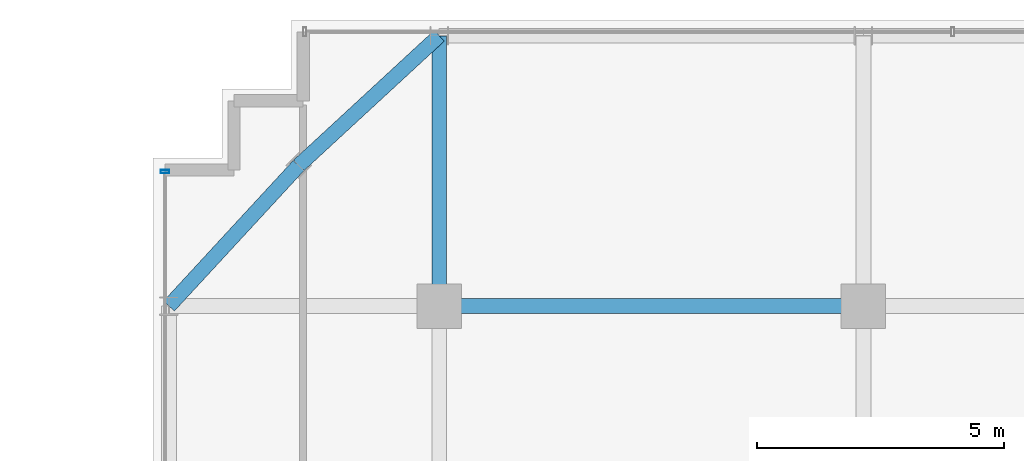
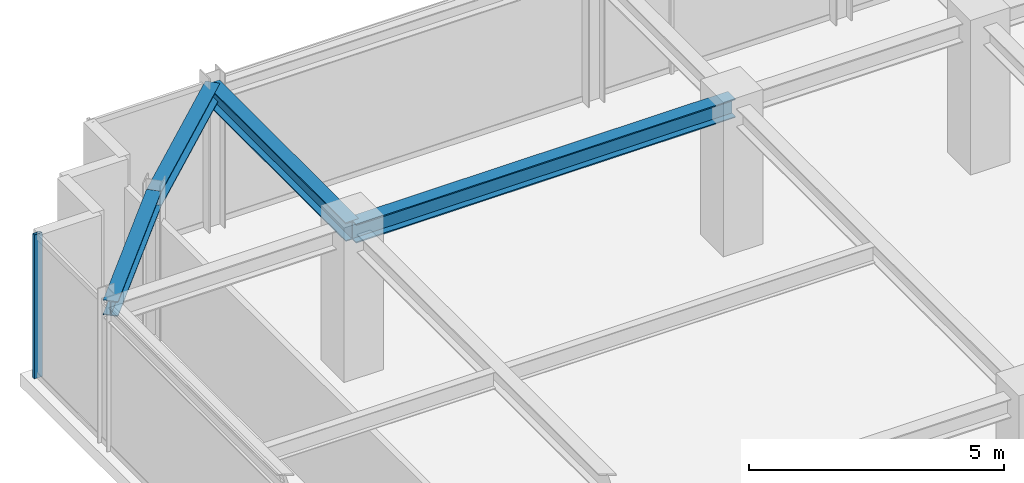
# One storey, part 18 of 31: 4 beams, 1 member, 1 element without a shape of its own.
"""IFC4 building model written with IfcOpenShell, lengths in metres."""

import ifcopenshell
import ifcopenshell.guid

model = None  # the IFC model being written
_history = None  # IfcOwnerHistory: only IFC2X3 demands one
_inside = {}  # id of a spatial element -> (the spatial element, [elements in it])
_under = {}  # id of a project, library or spatial element -> (it, [spatial elements below it])
_declared = {}  # id of a project -> (the project, [libraries it declares])
_typed = {}  # id of a type object -> (the type object, [elements of that type])
_made_of = {}  # id of a material, layer set ... -> (it, [elements and type objects made of it])


def new_model(schema):
    """Start an empty IFC model of exactly this schema.

    Asked for "IFC4X3", IfcOpenShell would pick the latest addendum, in which some entities
    have other attributes; the version numbers below select the first issue.
    IFC2X3 requires an IfcOwnerHistory on every rooted entity: one is made here for all.
    """
    global model, _history
    if schema == "IFC4X3":
        model = ifcopenshell.file(schema_version=(4, 3, 0, 0))
    else:
        model = ifcopenshell.file(schema=schema)
    _inside.clear()
    _under.clear()
    _declared.clear()
    _typed.clear()
    _made_of.clear()
    _history = None
    if model.schema == "IFC2X3":
        org = make("IfcOrganization", Name="unknown")
        user = make(
            "IfcPersonAndOrganization",
            ThePerson=make("IfcPerson", FamilyName="unknown"),
            TheOrganization=org,
        )
        app = make(
            "IfcApplication",
            ApplicationDeveloper=org,
            Version="unknown",
            ApplicationFullName="unknown",
            ApplicationIdentifier="unknown",
        )
        _history = make(
            "IfcOwnerHistory",
            OwningUser=user,
            OwningApplication=app,
            ChangeAction="ADDED",
            CreationDate=0,
        )
    return model


def make(cls, **values):
    """One entity of the class cls with the attributes given. An attribute that is None is left unset."""
    return model.create_entity(
        cls, **{name: value for name, value in values.items() if value is not None}
    )


def rooted(cls, **values):
    """An entity with a GlobalId (a new one), such as an element, a storey or a relation."""
    return make(cls, GlobalId=ifcopenshell.guid.new(), OwnerHistory=_history, **values)


def si_unit(unit_type, name, prefix=None):
    """IfcSIUnit, for example si_unit("LENGTHUNIT", "METRE", prefix="MILLI")."""
    return make("IfcSIUnit", UnitType=unit_type, Prefix=prefix, Name=name)


def assignment(units):
    """IfcUnitAssignment: the units of a project."""
    return None if units is None else make("IfcUnitAssignment", Units=units)


def point(xyz):
    """IfcCartesianPoint."""
    return None if xyz is None else make("IfcCartesianPoint", Coordinates=xyz)


def direction(xyz):
    """IfcDirection."""
    return None if xyz is None else make("IfcDirection", DirectionRatios=xyz)


def frame(location, z_axis=None, x_axis=None):
    """IfcAxis2Placement3D, a coordinate frame: its origin and axes. An axis left out is left unset."""
    return make(
        "IfcAxis2Placement3D",
        Location=point(location),
        Axis=direction(z_axis),
        RefDirection=direction(x_axis),
    )


def frame_2d(location, x_axis=None):
    """IfcAxis2Placement2D, a coordinate frame in the plane: its origin and x axis."""
    return make(
        "IfcAxis2Placement2D", Location=point(location), RefDirection=direction(x_axis)
    )


def origin():
    """The frame at (0, 0, 0) with its axes left unset."""
    return frame((0.0, 0.0, 0.0))


def origin_2d():
    """The frame at (0, 0) in the plane with its x axis left unset."""
    return frame_2d((0.0, 0.0))


def place(relative_to, where):
    """IfcLocalPlacement: puts the frame where relative to a parent placement (None: the world)."""
    return make(
        "IfcLocalPlacement", PlacementRelTo=relative_to, RelativePlacement=where
    )


def context(
    kind, dimensions, precision=None, world=None, true_north=None, identifier=None
):
    """IfcGeometricRepresentationContext, for example the 3D "Model" context."""
    return make(
        "IfcGeometricRepresentationContext",
        ContextIdentifier=identifier,
        ContextType=kind,
        CoordinateSpaceDimension=dimensions,
        Precision=precision,
        WorldCoordinateSystem=world,
        TrueNorth=true_north,
    )


def subcontext(parent, identifier, kind, view, scale=None):
    """IfcGeometricRepresentationSubContext, for example "Body" below "Model"."""
    return make(
        "IfcGeometricRepresentationSubContext",
        ContextIdentifier=identifier,
        ContextType=kind,
        ParentContext=parent,
        TargetScale=scale,
        TargetView=view,
    )


def project(units=None, contexts=None):
    """IfcProject with its units and contexts."""
    return rooted(
        "IfcProject",
        Name="project",
        RepresentationContexts=contexts,
        UnitsInContext=assignment(units),
    )


def spatial(cls, under=None, at=None, **own):
    """A site, building, storey or space (cls), placed at a placement, below another one or the project."""
    s = rooted(cls, ObjectPlacement=at, **own)
    if under is not None:
        _under.setdefault(under.id(), (under, []))[1].append(s)
    return s


def profile(cls, at=None, kind="AREA", **sizes):
    """A parametric profile (cls). Its sizes go by their IFC names, for example OverallWidth=200.0."""
    return make(cls, ProfileType=kind, Position=at, **sizes)


def hollow_rectangle(**sizes):
    """IfcRectangleHollowProfileDef."""
    return profile("IfcRectangleHollowProfileDef", **sizes)


def i_section(**sizes):
    """IfcIShapeProfileDef."""
    return profile("IfcIShapeProfileDef", **sizes)


def extrude(swept, where, along, depth):
    """IfcExtrudedAreaSolid: the profile swept, set in the frame where, extruded along a direction by depth."""
    return make(
        "IfcExtrudedAreaSolid",
        SweptArea=swept,
        Position=where,
        ExtrudedDirection=direction(along),
        Depth=depth,
    )


def shape(context_of_items, identifier, shape_type, items):
    """IfcShapeRepresentation: the items that make up one representation, for example the "Body"."""
    return make(
        "IfcShapeRepresentation",
        ContextOfItems=context_of_items,
        RepresentationIdentifier=identifier,
        RepresentationType=shape_type,
        Items=items,
    )


def source(mapping_origin, context_of_items, identifier, shape_type, items):
    """IfcRepresentationMap: a shape defined once, which mapped items show again and again."""
    return make(
        "IfcRepresentationMap",
        MappingOrigin=mapping_origin,
        MappedRepresentation=shape(context_of_items, identifier, shape_type, items),
    )


def transform(
    local_origin,
    x_axis=None,
    y_axis=None,
    z_axis=None,
    scale=None,
    scale2=None,
    scale3=None,
    uniform=True,
):
    """IfcCartesianTransformationOperator3D, or its non-uniform kind. x_axis, y_axis, z_axis: its Axis1, 2, 3."""
    if uniform:
        return make(
            "IfcCartesianTransformationOperator3D",
            Axis1=direction(x_axis),
            Axis2=direction(y_axis),
            LocalOrigin=point(local_origin),
            Scale=scale,
            Axis3=direction(z_axis),
        )
    return make(
        "IfcCartesianTransformationOperator3DnonUniform",
        Axis1=direction(x_axis),
        Axis2=direction(y_axis),
        LocalOrigin=point(local_origin),
        Scale=scale,
        Axis3=direction(z_axis),
        Scale2=scale2,
        Scale3=scale3,
    )


def mapped(mapping_source, mapping_target):
    """IfcMappedItem: shows the shape of a source again, moved by a transform."""
    return make(
        "IfcMappedItem", MappingSource=mapping_source, MappingTarget=mapping_target
    )


def material(Name=None, Category=None):
    """IfcMaterial."""
    return make("IfcMaterial", Name=Name, Category=Category)


def material_profile(
    of_material, cross_section, Name=None, Category=None, Priority=None
):
    """IfcMaterialProfile: a cross section and its material."""
    return make(
        "IfcMaterialProfile",
        Name=Name,
        Material=of_material,
        Profile=cross_section,
        Priority=Priority,
        Category=Category,
    )


def profile_set(profiles, Name=None, composite=None):
    """IfcMaterialProfileSet."""
    return make(
        "IfcMaterialProfileSet",
        Name=Name,
        MaterialProfiles=profiles,
        CompositeProfile=composite,
    )


def made_of(thing, what):
    """Note that an element or type object is made of a material, layer set ...; save() writes the relation."""
    if what is not None:
        _made_of.setdefault(what.id(), (what, []))[1].append(thing)
    return thing


def type_object(cls, material=None, **own):
    """A type object (cls), such as IfcWallType, which elements share."""
    return made_of(rooted(cls, **own), material)


def element(
    cls,
    number,
    at=None,
    inside=None,
    cuts=None,
    type_object=None,
    material=None,
    context=None,
    identifier="Body",
    shape_type=None,
    held_by="IfcProductDefinitionShape",
    body=None,
    shapes=None,
    **own,
):
    """One element of the class cls, such as IfcWall. Its Tag is "e" and its number.

    at: its placement. inside: the storey or other place that contains it. cuts: it is an
    opening in that element (IfcRelVoidsElement). A single representation is given by context,
    identifier, shape_type and body (its items); several are given by shapes. held_by: the class
    of the entity that holds the representations. save() writes the other relations.
    """
    e = rooted(cls, Tag="e%d" % number, ObjectPlacement=at, **own)
    if body is not None:
        shapes = [shape(context, identifier, shape_type, body)]
    if shapes is not None:
        e.Representation = make(held_by, Representations=shapes)
    if inside is not None:
        _inside.setdefault(inside.id(), (inside, []))[1].append(e)
    if cuts is not None:
        rooted(
            "IfcRelVoidsElement", RelatingBuildingElement=cuts, RelatedOpeningElement=e
        )
    if type_object is not None:
        _typed.setdefault(type_object.id(), (type_object, []))[1].append(e)
    return made_of(e, material)


def aggregate(whole, parts):
    """IfcRelAggregates: a whole, such as a stair, and the parts it consists of."""
    return rooted("IfcRelAggregates", RelatingObject=whole, RelatedObjects=parts)


def save(model, path):
    """Write the relations noted so far, then the file.

    IfcRelAggregates (storeys below a building ...), IfcRelContainedInSpatialStructure (elements
    in a storey), IfcRelDefinesByType, IfcRelAssociatesMaterial and IfcRelDeclares: one each for
    every whole, place, type object, material and project.
    """
    for whole, parts in _under.values():
        aggregate(whole, parts)
    for where, things in _inside.values():
        rooted(
            "IfcRelContainedInSpatialStructure",
            RelatedElements=things,
            RelatingStructure=where,
        )
    for kind, things in _typed.values():
        rooted("IfcRelDefinesByType", RelatedObjects=things, RelatingType=kind)
    for what, things in _made_of.values():
        rooted("IfcRelAssociatesMaterial", RelatedObjects=things, RelatingMaterial=what)
    for by, libraries in _declared.values():
        rooted("IfcRelDeclares", RelatingContext=by, RelatedDefinitions=libraries)
    model.write(path)


model = new_model("IFC4")

# Units and contexts
model_context = context("Model", 3, precision=1e-05, world=origin(), true_north=direction((0.0, 1.0)))
body_context = subcontext(model_context, "Body", "Model", "MODEL_VIEW")
ifc_project = project(units=[si_unit("LENGTHUNIT", "METRE"), si_unit("AREAUNIT", "SQUARE_METRE"), si_unit("VOLUMEUNIT", "CUBIC_METRE"), si_unit("PLANEANGLEUNIT", "RADIAN"), si_unit("MASSUNIT", "GRAM", prefix="KILO")], contexts=[model_context])

# Site, building, storey
site_placement = place(None, origin())
site = spatial("IfcSite", under=ifc_project, at=site_placement, CompositionType="ELEMENT")
building_placement = place(site_placement, origin())
building = spatial("IfcBuilding", under=site, at=building_placement, Name="Nahalor Promenade Grand Hotel", CompositionType="ELEMENT")
storey_placement = place(building_placement, frame((0.0, 0.0, 277.550048828125)))
storey = spatial("IfcBuildingStorey", under=building, at=storey_placement, Name="L71", CompositionType="ELEMENT", Elevation=277.550048828125)

# Beams
ifc_material_1 = material(Name="Steel S355JR", Category="steel")
ifc_material_profile_1 = material_profile(ifc_material_1, i_section(OverallWidth=0.3, OverallDepth=0.45, WebThickness=0.014, FlangeThickness=0.026, at=origin_2d()), Name="HEB 450")
ifc_profile_set_1 = profile_set([ifc_material_profile_1], Name="Steel S355JR")
beam_type_1 = type_object("IfcBeamType", Name="Beam-Girder-HEB450", PredefinedType="BEAM", material=ifc_profile_set_1)
shared_shape_1 = source(origin(), body_context, "Body", "SweptSolid", [
    extrude(i_section(OverallWidth=0.3, OverallDepth=0.45, WebThickness=0.014, FlangeThickness=0.026, at=origin_2d()), origin(), (0.0, 0.0, 1.0), 8.60009765625),
])
beam_1_placement = place(storey_placement, frame((-17.0, 17.0, 3.224853515625), z_axis=(1.0, 0.0, 0.0), x_axis=(0.0, 1.0, 0.0)))
element("IfcBeam", 1, at=beam_1_placement, inside=storey, type_object=beam_type_1, Name="BM-L71-GX-3-1", PredefinedType="BEAM", context=body_context, shape_type="MappedRepresentation", body=[
    mapped(shared_shape_1, transform((0.0, 0.0, 0.0), scale=1.0)),
])
shared_shape_2 = source(origin(), body_context, "Body", "SweptSolid", [
    extrude(i_section(OverallWidth=0.3, OverallDepth=0.45, WebThickness=0.014, FlangeThickness=0.026, at=origin_2d()), origin(), (0.0, 0.0, 1.0), 5.47998046875),
])
beam_2_placement = place(storey_placement, frame((-17.0, 17.0, 3.224853515625), z_axis=(0.0, 1.0, 0.0), x_axis=(-1.0, 0.0, 0.0)))
element("IfcBeam", 2, at=beam_2_placement, inside=storey, type_object=beam_type_1, Name="BM-L71-GY-0-4", PredefinedType="BEAM", context=body_context, shape_type="MappedRepresentation", body=[
    mapped(shared_shape_2, transform((0.0, 0.0, 0.0), scale=1.0)),
])
ifc_material_profile_2 = material_profile(ifc_material_1, i_section(OverallWidth=0.3, OverallDepth=0.36, WebThickness=0.0125, FlangeThickness=0.0225, at=origin_2d()), Name="HEB 360")
ifc_profile_set_2 = profile_set([ifc_material_profile_2], Name="Steel S355JR")
beam_type_2 = type_object("IfcBeamType", Name="Beam-Spandrel-HEB360", PredefinedType="SPANDREL", material=ifc_profile_set_2)
shared_shape_3 = source(origin(), body_context, "Body", "SweptSolid", [
    extrude(i_section(OverallWidth=0.3, OverallDepth=0.36, WebThickness=0.0125, FlangeThickness=0.0225, at=origin_2d()), origin(), (0.0, 0.0, 1.0), 3.878173828125),
])
for number, where, z_axis, x_axis, name in (
    (3, (-17.0, 22.47998046875, 3.27001953125), (-0.73492893846, -0.678144125843, 0.0), (0.678144125843, -0.73492893846, 0.0), "BM-L71-SPC-NW-1"),
    (4, (-19.85009765625, 19.85009765625, 3.27001953125), (-0.678144125843, -0.73492893846, 0.0), (0.73492893846, -0.678144125843, 0.0), "BM-L71-SPC-NW-2"),
):
    element("IfcBeam", number, at=place(storey_placement, frame(where, z_axis=z_axis, x_axis=x_axis)), inside=storey, type_object=beam_type_2, Name=name, PredefinedType="SPANDREL", context=body_context, shape_type="MappedRepresentation", body=[
        mapped(shared_shape_3, transform((0.0, 0.0, 0.0), scale=1.0)),
    ])

# Curtain wall, member
ifc_material_2 = material(Name="Anodised Bronze Aluminium EN AW-6063 T6", Category="aluminium")
curtain_wall_type = type_object("IfcCurtainWallType", Name="CW2 Typical Hotel Flush Bronze Unitised Curtain Wall", PredefinedType="USERDEFINED", material=ifc_material_2)
curtain_wall_placement = place(storey_placement, origin())
curtain_wall = element("IfcCurtainWall", 5, at=curtain_wall_placement, inside=storey, type_object=curtain_wall_type, Name="L71 Curtain Wall CW-L71-W-3", ObjectType="UNITISED_CURTAIN_WALL", PredefinedType="USERDEFINED")
ifc_material_profile_3 = material_profile(ifc_material_2, hollow_rectangle(XDim=0.065, YDim=0.18, WallThickness=0.004, at=origin_2d()), Name="CWM 65x180x4")
ifc_profile_set_3 = profile_set([ifc_material_profile_3], Name="Anodised Bronze Aluminium EN AW-6063 T6")
member_type = type_object("IfcMemberType", Name="CWM2 Typical Bronze Mullion 65x180", PredefinedType="MULLION", material=ifc_profile_set_3)
shared_shape_4 = source(origin(), body_context, "Body", "SweptSolid", [
    extrude(hollow_rectangle(XDim=0.065, YDim=0.18, WallThickness=0.004, at=origin_2d()), origin(), (0.0, 0.0, 1.0), 3.449951171875),
])
member_placement = place(storey_placement, frame((-22.56005859375, 19.7275390625, 0.0), z_axis=(0.0, 0.0, 1.0), x_axis=(0.0, 1.0, 0.0)))
member = element("IfcMember", 6, at=member_placement, type_object=member_type, Name="CW-L71-W-3 Mullion 2", PredefinedType="MULLION", context=body_context, shape_type="MappedRepresentation", body=[
    mapped(shared_shape_4, transform((0.0, 0.0, 0.0), scale=1.0)),
])
aggregate(curtain_wall, [member])

save(model, "model.ifc")
